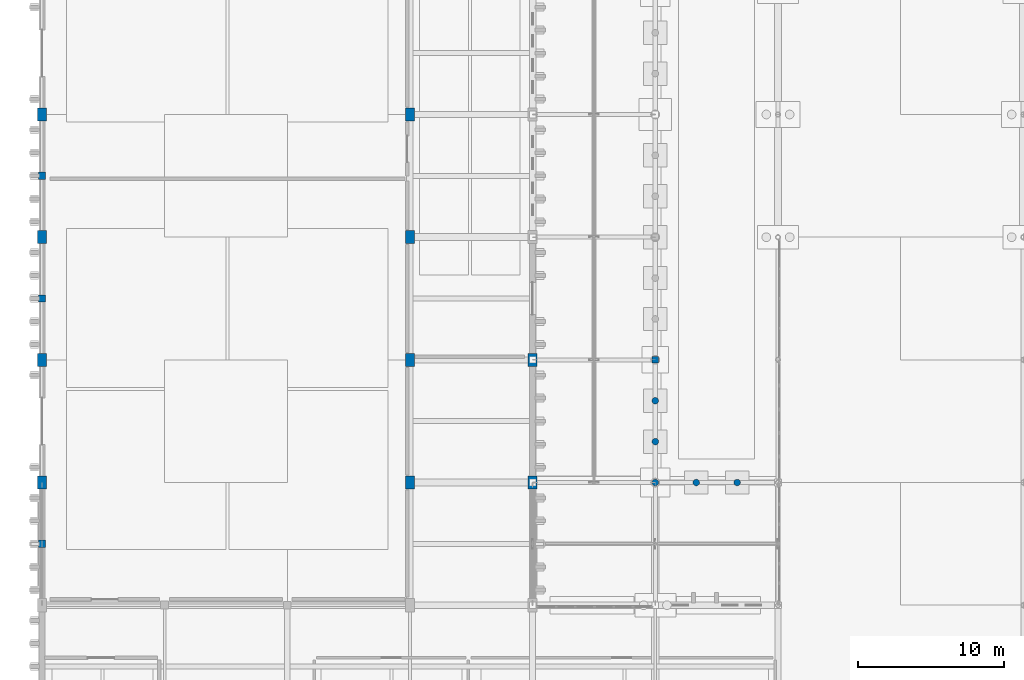
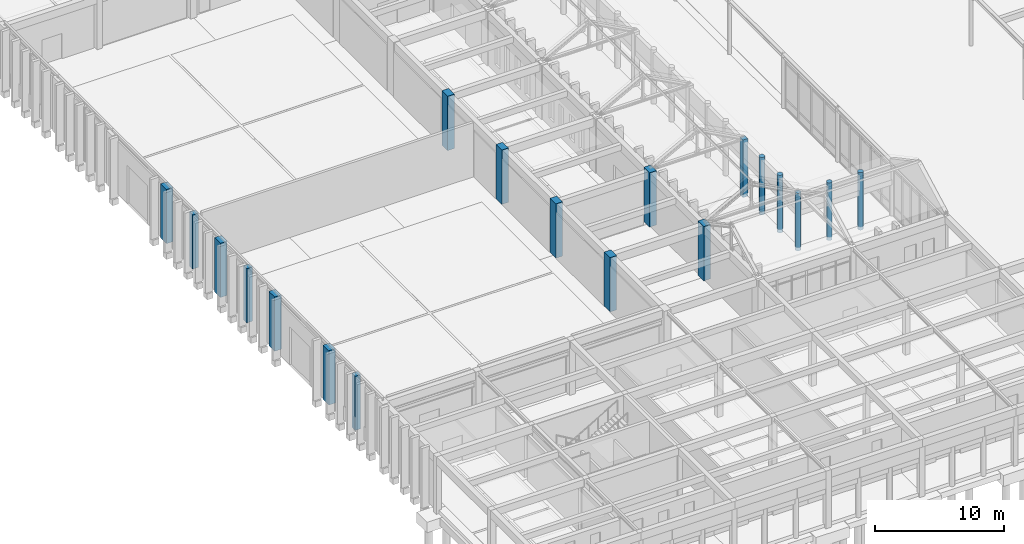
# One storey, part 10 of 143: 19 columns.
"""IFC4 building model written with IfcOpenShell, lengths in metres."""

from ifc_helpers import new_model, si_unit, direction, frame, origin, origin_2d, place, context, subcontext, project, spatial, rectangle, circle, extrude, material, material_profile, profile_set, type_object, element, save


model = new_model("IFC4")

# Units and contexts
model_context = context("Model", 3, precision=1e-05, world=origin(), true_north=direction((0.0, 1.0)))
body_context = subcontext(model_context, "Body", "Model", "MODEL_VIEW")
ifc_project = project(units=[si_unit("LENGTHUNIT", "METRE"), si_unit("AREAUNIT", "SQUARE_METRE"), si_unit("VOLUMEUNIT", "CUBIC_METRE"), si_unit("PLANEANGLEUNIT", "RADIAN"), si_unit("MASSUNIT", "GRAM", prefix="KILO")], contexts=[model_context])

# Site, building, storey
site_placement = place(None, origin())
site = spatial("IfcSite", under=ifc_project, at=site_placement, CompositionType="ELEMENT")
building_placement = place(site_placement, origin())
building = spatial("IfcBuilding", under=site, at=building_placement, Name="Kveldsbrygga Polytechnic", CompositionType="ELEMENT")
storey_placement = place(building_placement, origin())
storey = spatial("IfcBuildingStorey", under=building, at=storey_placement, Name="L00", CompositionType="ELEMENT", Elevation=0.0)

# Columns
ifc_material = material(Name="Concrete C45/55", Category="concrete")
ifc_material_profile_1 = material_profile(ifc_material, circle(Radius=0.22509765625, at=origin_2d()), Name="RC D450")
ifc_profile_set_1 = profile_set([ifc_material_profile_1], Name="Concrete C45/55")
column_type_1 = type_object("IfcColumnType", Name="COL-ARC-D450", PredefinedType="COLUMN", material=ifc_profile_set_1)
for number, where, z_axis, x_axis, name in (
    (1, (42.0, 33.60009765625, -0.320068359375), (0.0, 0.0, 1.0), (1.0, 0.0, 0.0), "Column COL-L00-05-04"),
    (2, (44.800048828125, 33.60009765625, -0.320068359375), (0.0, 0.0, 1.0), (1.0, 0.0, 0.0), "Cloister Arcade Pier COL-ARC-041"),
    (3, (47.60009765625, 33.60009765625, -0.320068359375), (0.0, 0.0, 1.0), (1.0, 0.0, 0.0), "Cloister Arcade Pier COL-ARC-042"),
    (4, (42.0, 36.39990234375, -0.320068359375), (0.0, 0.0, 1.0), (1.0, 0.0, 0.0), "Cloister Arcade Pier COL-ARC-045"),
    (5, (42.0, 39.199951171875, -0.320068359375), (0.0, 0.0, 1.0), (1.0, 0.0, 0.0), "Cloister Arcade Pier COL-ARC-046"),
):
    element("IfcColumn", number, at=place(storey_placement, frame(where, z_axis=z_axis, x_axis=x_axis)), inside=storey, type_object=column_type_1, Name=name, PredefinedType="COLUMN", context=body_context, shape_type="SweptSolid", body=[
        extrude(circle(Radius=0.22509765625, at=origin_2d()), origin(), (0.0, 0.0, 1.0), 5.4599609375),
    ])
ifc_material_profile_2 = material_profile(ifc_material, rectangle(XDim=0.60009765625, YDim=0.89990234375, at=origin_2d()), Name="RC 600x900")
ifc_profile_set_2 = profile_set([ifc_material_profile_2], Name="Concrete C45/55")
column_type_2 = type_object("IfcColumnType", Name="COL-CRANE-900", PredefinedType="COLUMN", material=ifc_profile_set_2)
for number, where, z_axis, x_axis, name in (
    (6, (0.0, 33.60009765625, 0.0), (0.0, 0.0, 1.0), (1.0, 0.0, 0.0), "Column COL-L00-00-04"),
    (7, (0.0, 42.0, 0.0), (0.0, 0.0, 1.0), (1.0, 0.0, 0.0), "Column COL-L00-00-05"),
    (8, (0.0, 50.39990234375, 0.0), (0.0, 0.0, 1.0), (1.0, 0.0, 0.0), "Column COL-L00-00-06"),
    (9, (0.0, 58.800048828125, 0.0), (0.0, 0.0, 1.0), (1.0, 0.0, 0.0), "Column COL-L00-00-07"),
    (10, (25.199951171875, 33.60009765625, 0.0), (0.0, 0.0, 1.0), (1.0, 0.0, 0.0), "Column COL-L00-03-04"),
    (11, (25.199951171875, 42.0, 0.0), (0.0, 0.0, 1.0), (1.0, 0.0, 0.0), "Column COL-L00-03-05"),
    (12, (25.199951171875, 50.39990234375, 0.0), (0.0, 0.0, 1.0), (1.0, 0.0, 0.0), "Column COL-L00-03-06"),
    (13, (25.199951171875, 58.800048828125, 0.0), (0.0, 0.0, 1.0), (1.0, 0.0, 0.0), "Column COL-L00-03-07"),
    (14, (33.60009765625, 33.60009765625, 0.0), (0.0, 0.0, 1.0), (1.0, 0.0, 0.0), "Column COL-L00-04-04"),
    (15, (33.60009765625, 42.0, 0.0), (0.0, 0.0, 1.0), (1.0, 0.0, 0.0), "Column COL-L00-04-05"),
):
    element("IfcColumn", number, at=place(storey_placement, frame(where, z_axis=z_axis, x_axis=x_axis)), inside=storey, type_object=column_type_2, Name=name, PredefinedType="COLUMN", context=body_context, shape_type="SweptSolid", body=[
        extrude(rectangle(XDim=0.60009765625, YDim=0.89990234375, at=origin_2d()), origin(), (0.0, 0.0, 1.0), 5.139892578125),
    ])
ifc_material_profile_3 = material_profile(ifc_material, rectangle(XDim=0.449951171875, YDim=0.449951171875, at=origin_2d()), Name="RC 450x450")
ifc_profile_set_3 = profile_set([ifc_material_profile_3], Name="Concrete C45/55")
column_type_3 = type_object("IfcColumnType", Name="COL-RC-450", PredefinedType="COLUMN", material=ifc_profile_set_3)
column_placement = place(storey_placement, frame((42.0, 42.0, -0.320068359375), z_axis=(0.0, 0.0, 1.0), x_axis=(1.0, 0.0, 0.0)))
element("IfcColumn", 16, at=column_placement, inside=storey, type_object=column_type_3, Name="Column COL-L00-05-05", PredefinedType="COLUMN", context=body_context, shape_type="SweptSolid", body=[
    extrude(rectangle(XDim=0.449951171875, YDim=0.449951171875, at=origin_2d()), origin(), (0.0, 0.0, 1.0), 5.4599609375),
])
ifc_material_profile_4 = material_profile(ifc_material, rectangle(XDim=0.5, YDim=0.5, at=origin_2d()), Name="RC 500x500")
ifc_profile_set_4 = profile_set([ifc_material_profile_4], Name="Concrete C45/55")
column_type_4 = type_object("IfcColumnType", Name="PIL-BRICK-550", PredefinedType="PILASTER", material=ifc_profile_set_4)
for number, where, z_axis, x_axis, name in (
    (17, (0.0, 29.39990234375, 0.0), (0.0, 0.0, 1.0), (1.0, 0.0, 0.0), "Brick Buttress Pilaster PILAS-L00-00-03"),
    (18, (0.0, 46.199951171875, 0.0), (0.0, 0.0, 1.0), (1.0, 0.0, 0.0), "Brick Buttress Pilaster PILAS-L00-00-05"),
    (19, (0.0, 54.60009765625, 0.0), (0.0, 0.0, 1.0), (1.0, 0.0, 0.0), "Brick Buttress Pilaster PILAS-L00-00-06"),
):
    element("IfcColumn", number, at=place(storey_placement, frame(where, z_axis=z_axis, x_axis=x_axis)), inside=storey, type_object=column_type_4, Name=name, PredefinedType="PILASTER", context=body_context, shape_type="SweptSolid", body=[
        extrude(rectangle(XDim=0.5, YDim=0.5, at=origin_2d()), origin(), (0.0, 0.0, 1.0), 5.139892578125),
    ])

save(model, "model.ifc")
